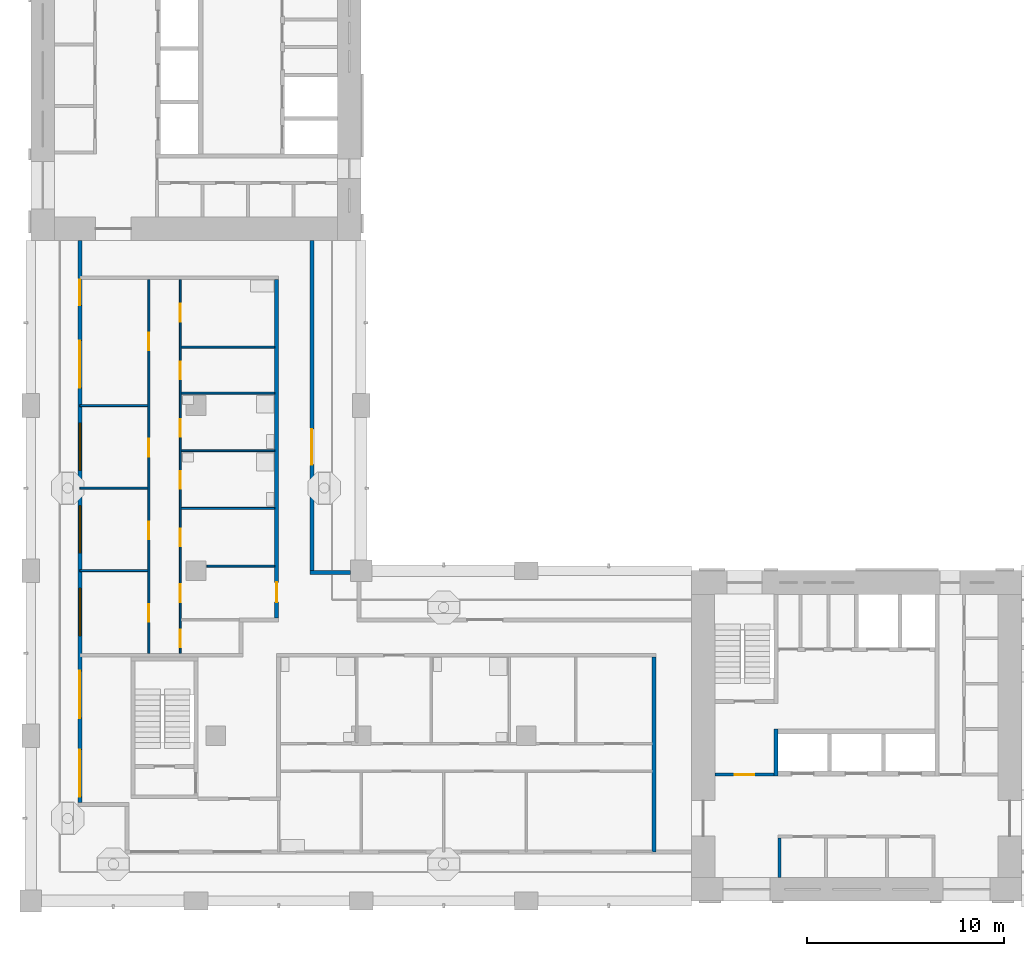
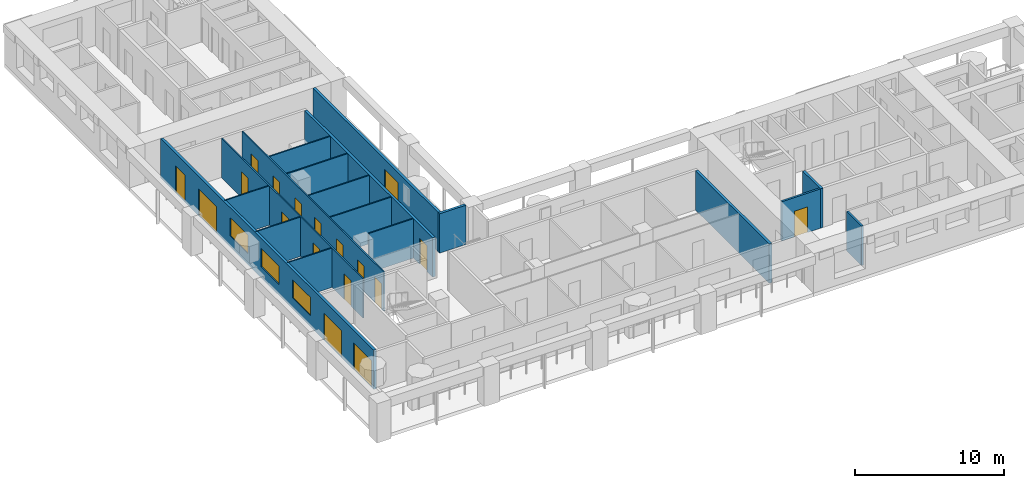
# One storey, part 3 of 13: 18 doors, 18 walls, 3 windows, 21 openings.
"""IFC4 building model written with IfcOpenShell, lengths in metres."""

from ifc_helpers import new_model, si_unit, direction, frame, frame_2d, origin, place, context, subcontext, project, spatial, rectangle, extrude, material, layer, layer_set, type_object, element, fill, save


model = new_model("IFC4")

# Units and contexts
model_context = context("Model", 3, precision=1e-05, world=origin(), true_north=direction((0.0, 1.0)))
body_context = subcontext(model_context, "Body", "Model", "MODEL_VIEW")
ifc_project = project(units=[si_unit("LENGTHUNIT", "METRE"), si_unit("AREAUNIT", "SQUARE_METRE"), si_unit("VOLUMEUNIT", "CUBIC_METRE"), si_unit("PLANEANGLEUNIT", "RADIAN"), si_unit("MASSUNIT", "GRAM", prefix="KILO")], contexts=[model_context])

# Site, building, storey
site_placement = place(None, origin())
site = spatial("IfcSite", under=ifc_project, at=site_placement, CompositionType="ELEMENT")
building_placement = place(site_placement, origin())
building = spatial("IfcBuilding", under=site, at=building_placement, Name="Vermilion Gate Residences", CompositionType="ELEMENT")
storey_placement = place(building_placement, frame((0.0, 0.0, 161.699951171875)))
storey = spatial("IfcBuildingStorey", under=building, at=storey_placement, Name="L41", CompositionType="ELEMENT", Elevation=161.699951171875)

# Wall
ifc_material_1 = material(Name="Masonry blockwork", Category="masonry")
ifc_layer_1 = layer(ifc_material_1, 0.14990234375)
ifc_layer_set_1 = layer_set([ifc_layer_1], Name="BLOCKWORK PARTITION 150 EI 120")
wall_type_1 = type_object("IfcWallType", Name="BLOCKWORK PARTITION 150 EI 120", PredefinedType="PARTITIONING", material=ifc_layer_set_1)
wall_1_placement = place(storey_placement, frame((46.47509765625, 9.60009765625, 0.0), z_axis=(0.0, 0.0, 1.0), x_axis=(0.0, 1.0, 0.0)))
element("IfcWall", 1, at=wall_1_placement, inside=storey, type_object=wall_type_1, Name="Core room partition A41-RW-W", PredefinedType="PARTITIONING", context=body_context, shape_type="SweptSolid", body=[
    extrude(rectangle(XDim=2.0, YDim=0.14990234375, at=frame_2d((1.0, 0.0))), origin(), (0.0, 0.0, 1.0), 3.219970703125),
])

# Wall, opening, door
wall_2_placement = place(storey_placement, frame((43.199951171875, 14.824951171875, 0.0), z_axis=(0.0, 0.0, 1.0), x_axis=(1.0, 0.0, 0.0)))
wall_2 = element("IfcWall", 2, at=wall_2_placement, inside=storey, type_object=wall_type_1, Name="Core room partition A41-VW-S", PredefinedType="PARTITIONING", context=body_context, shape_type="SweptSolid", body=[
    extrude(rectangle(XDim=3.0, YDim=0.14990234375, at=frame_2d((1.5, 0.0))), origin(), (0.0, 0.0, 1.0), 3.219970703125),
])
opening_1_placement = place(wall_2_placement, frame((1.0, 0.0, 0.0)))
opening_1 = element("IfcOpeningElement", 3, at=opening_1_placement, cuts=wall_2, Name="Opening DK41014", PredefinedType="OPENING", context=body_context, shape_type="SweptSolid", body=[
    extrude(rectangle(XDim=1.0, YDim=2.10009765625, at=frame_2d((0.5, 1.050048828125))), frame((0.0, 0.0849609375, 0.0), z_axis=(0.0, -1.0, 0.0), x_axis=(1.0, 0.0, 0.0)), (0.0, 0.0, 1.0), 0.169921875),
])
ifc_material_2 = material(Name="Steel", Category="steel")
door_type_1 = type_object("IfcDoorType", Name="FIRE DOOR FD60 1000 X 2100", OperationType="SINGLE_SWING_LEFT", PredefinedType="DOOR", material=ifc_material_2)
door_1_placement = place(opening_1_placement, frame((1.0, 0.0, 0.0), z_axis=(0.0, 0.0, 1.0), x_axis=(-1.0, 0.0, 0.0)))
door_1 = element("IfcDoor", 4, at=door_1_placement, inside=storey, type_object=door_type_1, Name="Stair vestibule door A41", OperationType="SINGLE_SWING_RIGHT", OverallHeight=2.10009765625, OverallWidth=1.0, PredefinedType="DOOR", context=body_context, shape_type="SweptSolid", body=[
    extrude(rectangle(XDim=1.0, YDim=2.10009765625, at=frame_2d((0.5, 1.050048828125))), frame((0.0, 0.02490234375, 0.0), z_axis=(0.0, -1.0, 0.0), x_axis=(1.0, 0.0, 0.0)), (0.0, 0.0, 1.0), 0.050048828125),
])
fill(opening_1, door_1)

# Wall, openings, doors, windows
ifc_material_3 = material(Name="Insulated steel stud wall with terracotta rainscreen", Category="masonry")
ifc_layer_2 = layer(ifc_material_3, 0.199951171875)
ifc_layer_set_2 = layer_set([ifc_layer_2], Name="EXTERNAL WALL 200 TERRACOTTA RAINSCREEN")
wall_type_2 = type_object("IfcWallType", Name="EXTERNAL WALL 200 TERRACOTTA RAINSCREEN", PredefinedType="SOLIDWALL", material=ifc_layer_set_2)
wall_3_placement = place(storey_placement, frame((10.89990234375, 42.0, 0.0), z_axis=(0.0, 0.0, 1.0), x_axis=(0.0, -1.0, 0.0)))
wall_3 = element("IfcWall", 5, at=wall_3_placement, inside=storey, type_object=wall_type_2, Name="External wall", PredefinedType="SOLIDWALL", context=body_context, shape_type="SweptSolid", body=[
    extrude(rectangle(XDim=28.60009765625, YDim=0.199951171875, at=frame_2d((14.300048828125, 0.0))), origin(), (0.0, 0.0, 1.0), 3.219970703125),
])
opening_2_placement = place(wall_3_placement, frame((25.89990234375, 0.0, 0.0)))
opening_2 = element("IfcOpeningElement", 6, at=opening_2_placement, cuts=wall_3, Name="Opening DE41001", PredefinedType="OPENING", context=body_context, shape_type="SweptSolid", body=[
    extrude(rectangle(XDim=2.39990234375, YDim=2.199951171875, at=frame_2d((1.199951171875, 1.10009765625))), frame((0.0, 0.10986328125, 0.0), z_axis=(0.0, -1.0, 0.0), x_axis=(1.0, 0.0, 0.0)), (0.0, 0.0, 1.0), 0.219970703125),
])
opening_3_placement = place(wall_3_placement, frame((21.89990234375, 0.0, 0.0)))
opening_3 = element("IfcOpeningElement", 7, at=opening_3_placement, cuts=wall_3, Name="Opening DE41002", PredefinedType="OPENING", context=body_context, shape_type="SweptSolid", body=[
    extrude(rectangle(XDim=2.39990234375, YDim=2.199951171875, at=frame_2d((1.199951171875, 1.10009765625))), frame((0.0, 0.10986328125, 0.0), z_axis=(0.0, -1.0, 0.0), x_axis=(1.0, 0.0, 0.0)), (0.0, 0.0, 1.0), 0.219970703125),
])
opening_4_placement = place(wall_3_placement, frame((17.699951171875, 0.0, 0.89990234375)))
opening_4 = element("IfcOpeningElement", 8, at=opening_4_placement, cuts=wall_3, Name="Opening WE41003", PredefinedType="OPENING", context=body_context, shape_type="SweptSolid", body=[
    extrude(rectangle(XDim=2.39990234375, YDim=1.5, at=frame_2d((1.199951171875, 0.75))), frame((0.0, 0.10986328125, 0.0), z_axis=(0.0, -1.0, 0.0), x_axis=(1.0, 0.0, 0.0)), (0.0, 0.0, 1.0), 0.219970703125),
])
opening_5_placement = place(wall_3_placement, frame((13.5, 0.0, 0.89990234375)))
opening_5 = element("IfcOpeningElement", 9, at=opening_5_placement, cuts=wall_3, Name="Opening WE41004", PredefinedType="OPENING", context=body_context, shape_type="SweptSolid", body=[
    extrude(rectangle(XDim=2.39990234375, YDim=1.5, at=frame_2d((1.199951171875, 0.75))), frame((0.0, 0.10986328125, 0.0), z_axis=(0.0, -1.0, 0.0), x_axis=(1.0, 0.0, 0.0)), (0.0, 0.0, 1.0), 0.219970703125),
])
opening_6_placement = place(wall_3_placement, frame((9.300048828125, 0.0, 0.89990234375)))
opening_6 = element("IfcOpeningElement", 10, at=opening_6_placement, cuts=wall_3, Name="Opening WE41005", PredefinedType="OPENING", context=body_context, shape_type="SweptSolid", body=[
    extrude(rectangle(XDim=2.39990234375, YDim=1.5, at=frame_2d((1.199951171875, 0.75))), frame((0.0, 0.10986328125, 0.0), z_axis=(0.0, -1.0, 0.0), x_axis=(1.0, 0.0, 0.0)), (0.0, 0.0, 1.0), 0.219970703125),
])
opening_7_placement = place(wall_3_placement, frame((5.10009765625, 0.0, 0.0)))
opening_7 = element("IfcOpeningElement", 11, at=opening_7_placement, cuts=wall_3, Name="Opening DE41006", PredefinedType="OPENING", context=body_context, shape_type="SweptSolid", body=[
    extrude(rectangle(XDim=2.39990234375, YDim=2.199951171875, at=frame_2d((1.199951171875, 1.10009765625))), frame((0.0, 0.10986328125, 0.0), z_axis=(0.0, -1.0, 0.0), x_axis=(1.0, 0.0, 0.0)), (0.0, 0.0, 1.0), 0.219970703125),
])
opening_8_placement = place(wall_3_placement, frame((2.0, 0.0, 0.0)))
opening_8 = element("IfcOpeningElement", 12, at=opening_8_placement, cuts=wall_3, Name="Opening DE41007", PredefinedType="OPENING", context=body_context, shape_type="SweptSolid", body=[
    extrude(rectangle(XDim=1.300048828125, YDim=2.199951171875, at=frame_2d((0.64990234375, 1.10009765625))), frame((0.0, 0.10986328125, 0.0), z_axis=(0.0, -1.0, 0.0), x_axis=(1.0, 0.0, 0.0)), (0.0, 0.0, 1.0), 0.219970703125),
])
ifc_material_4 = material(Name="Aluminium and clear glass", Category="aluminium")
door_type_2 = type_object("IfcDoorType", Name="SLIDING GLAZED DOOR 1300 X 2200", OperationType="DOUBLE_DOOR_SLIDING", PredefinedType="DOOR", material=ifc_material_4)
door_2_placement = place(opening_8_placement, origin())
door_2 = element("IfcDoor", 13, at=door_2_placement, inside=storey, type_object=door_type_2, Name="Loggia sliding door", OperationType="DOUBLE_DOOR_SLIDING", OverallHeight=2.199951171875, OverallWidth=1.300048828125, PredefinedType="DOOR", context=body_context, shape_type="SweptSolid", body=[
    extrude(rectangle(XDim=1.300048828125, YDim=2.199951171875, at=frame_2d((0.64990234375, 1.10009765625))), frame((0.0, 0.02490234375, 0.0), z_axis=(0.0, -1.0, 0.0), x_axis=(1.0, 0.0, 0.0)), (0.0, 0.0, 1.0), 0.050048828125),
])
fill(opening_8, door_2)
ifc_material_5 = material(Name="Aluminium and clear glass", Category="aluminium")
door_type_3 = type_object("IfcDoorType", Name="SLIDING GLAZED DOOR 2400 X 2200", OperationType="DOUBLE_DOOR_SLIDING", PredefinedType="DOOR", material=ifc_material_5)
door_3_placement = place(opening_2_placement, origin())
door_3 = element("IfcDoor", 14, at=door_3_placement, inside=storey, type_object=door_type_3, Name="Loggia sliding door", OperationType="DOUBLE_DOOR_SLIDING", OverallHeight=2.199951171875, OverallWidth=2.39990234375, PredefinedType="DOOR", context=body_context, shape_type="SweptSolid", body=[
    extrude(rectangle(XDim=2.39990234375, YDim=2.199951171875, at=frame_2d((1.199951171875, 1.10009765625))), frame((0.0, 0.02490234375, 0.0), z_axis=(0.0, -1.0, 0.0), x_axis=(1.0, 0.0, 0.0)), (0.0, 0.0, 1.0), 0.050048828125),
])
fill(opening_2, door_3)
door_4_placement = place(opening_3_placement, origin())
door_4 = element("IfcDoor", 15, at=door_4_placement, inside=storey, type_object=door_type_3, Name="Loggia sliding door", OperationType="DOUBLE_DOOR_SLIDING", OverallHeight=2.199951171875, OverallWidth=2.39990234375, PredefinedType="DOOR", context=body_context, shape_type="SweptSolid", body=[
    extrude(rectangle(XDim=2.39990234375, YDim=2.199951171875, at=frame_2d((1.199951171875, 1.10009765625))), frame((0.0, 0.02490234375, 0.0), z_axis=(0.0, -1.0, 0.0), x_axis=(1.0, 0.0, 0.0)), (0.0, 0.0, 1.0), 0.050048828125),
])
fill(opening_3, door_4)
door_5_placement = place(opening_7_placement, origin())
door_5 = element("IfcDoor", 16, at=door_5_placement, inside=storey, type_object=door_type_3, Name="Loggia sliding door", OperationType="DOUBLE_DOOR_SLIDING", OverallHeight=2.199951171875, OverallWidth=2.39990234375, PredefinedType="DOOR", context=body_context, shape_type="SweptSolid", body=[
    extrude(rectangle(XDim=2.39990234375, YDim=2.199951171875, at=frame_2d((1.199951171875, 1.10009765625))), frame((0.0, 0.02490234375, 0.0), z_axis=(0.0, -1.0, 0.0), x_axis=(1.0, 0.0, 0.0)), (0.0, 0.0, 1.0), 0.050048828125),
])
fill(opening_7, door_5)
ifc_material_6 = material(Name="Aluminium and clear glass", Category="aluminium")
window_type = type_object("IfcWindowType", Name="WINDOW 2400 X 1500", PartitioningType="SINGLE_PANEL", PredefinedType="WINDOW", material=ifc_material_6)
window_1_placement = place(opening_4_placement, origin())
window_1 = element("IfcWindow", 17, at=window_1_placement, inside=storey, type_object=window_type, Name="Window", OverallHeight=1.5, OverallWidth=2.39990234375, PartitioningType="SINGLE_PANEL", PredefinedType="WINDOW", context=body_context, shape_type="SweptSolid", body=[
    extrude(rectangle(XDim=2.39990234375, YDim=1.5, at=frame_2d((1.199951171875, 0.75))), frame((0.0, 0.030029296875, 0.0), z_axis=(0.0, -1.0, 0.0), x_axis=(1.0, 0.0, 0.0)), (0.0, 0.0, 1.0), 0.06005859375),
])
fill(opening_4, window_1)
window_2_placement = place(opening_5_placement, origin())
window_2 = element("IfcWindow", 18, at=window_2_placement, inside=storey, type_object=window_type, Name="Window", OverallHeight=1.5, OverallWidth=2.39990234375, PartitioningType="SINGLE_PANEL", PredefinedType="WINDOW", context=body_context, shape_type="SweptSolid", body=[
    extrude(rectangle(XDim=2.39990234375, YDim=1.5, at=frame_2d((1.199951171875, 0.75))), frame((0.0, 0.030029296875, 0.0), z_axis=(0.0, -1.0, 0.0), x_axis=(1.0, 0.0, 0.0)), (0.0, 0.0, 1.0), 0.06005859375),
])
fill(opening_5, window_2)
window_3_placement = place(opening_6_placement, origin())
window_3 = element("IfcWindow", 19, at=window_3_placement, inside=storey, type_object=window_type, Name="Window", OverallHeight=1.5, OverallWidth=2.39990234375, PartitioningType="SINGLE_PANEL", PredefinedType="WINDOW", context=body_context, shape_type="SweptSolid", body=[
    extrude(rectangle(XDim=2.39990234375, YDim=1.5, at=frame_2d((1.199951171875, 0.75))), frame((0.0, 0.030029296875, 0.0), z_axis=(0.0, -1.0, 0.0), x_axis=(1.0, 0.0, 0.0)), (0.0, 0.0, 1.0), 0.06005859375),
])
fill(opening_6, window_3)

# Wall
wall_4_placement = place(storey_placement, frame((24.64990234375, 25.10009765625, 0.0), z_axis=(0.0, 0.0, 1.0), x_axis=(-1.0, 0.0, 0.0)))
element("IfcWall", 20, at=wall_4_placement, inside=storey, type_object=wall_type_2, Name="External wall", PredefinedType="SOLIDWALL", context=body_context, shape_type="SweptSolid", body=[
    extrude(rectangle(XDim=2.0498046875, YDim=0.199951171875, at=frame_2d((1.02490234375, 0.0))), origin(), (0.0, 0.0, 1.0), 3.219970703125),
])

# Wall, opening, door
wall_5_placement = place(storey_placement, frame((22.699951171875, 25.199951171875, 0.0), z_axis=(0.0, 0.0, 1.0), x_axis=(0.0, 1.0, 0.0)))
wall_5 = element("IfcWall", 21, at=wall_5_placement, inside=storey, type_object=wall_type_2, Name="External wall", PredefinedType="SOLIDWALL", context=body_context, shape_type="SweptSolid", body=[
    extrude(rectangle(XDim=16.800048828125, YDim=0.199951171875, at=frame_2d((8.39990234375, 0.0))), origin(), (0.0, 0.0, 1.0), 3.219970703125),
])
opening_9_placement = place(wall_5_placement, frame((5.39990234375, 0.0, 0.0)))
opening_9 = element("IfcOpeningElement", 22, at=opening_9_placement, cuts=wall_5, Name="Opening DE41021", PredefinedType="OPENING", context=body_context, shape_type="SweptSolid", body=[
    extrude(rectangle(XDim=1.800048828125, YDim=2.39990234375, at=frame_2d((0.89990234375, 1.199951171875))), frame((0.0, 0.10986328125, 0.0), z_axis=(0.0, -1.0, 0.0), x_axis=(1.0, 0.0, 0.0)), (0.0, 0.0, 1.0), 0.219970703125),
])
ifc_material_7 = material(Name="Aluminium and clear glass", Category="aluminium")
door_type_4 = type_object("IfcDoorType", Name="GLAZED EXTERNAL DOOR 1800 X 2400", OperationType="DOUBLE_DOOR_SINGLE_SWING", PredefinedType="DOOR", material=ifc_material_7)
door_6_placement = place(opening_9_placement, frame((1.800048828125, 0.0, 0.0), z_axis=(0.0, 0.0, 1.0), x_axis=(-1.0, 0.0, 0.0)))
door_6 = element("IfcDoor", 23, at=door_6_placement, inside=storey, type_object=door_type_4, Name="Gallery door", OperationType="DOUBLE_DOOR_SINGLE_SWING", OverallHeight=2.39990234375, OverallWidth=1.800048828125, PredefinedType="DOOR", context=body_context, shape_type="SweptSolid", body=[
    extrude(rectangle(XDim=1.800048828125, YDim=2.39990234375, at=frame_2d((0.89990234375, 1.199951171875))), frame((0.0, 0.02490234375, 0.0), z_axis=(0.0, -1.0, 0.0), x_axis=(1.0, 0.0, 0.0)), (0.0, 0.0, 1.0), 0.050048828125),
])
fill(opening_9, door_6)

# Walls
ifc_material_8 = material(Name="Plasterboard on steel studs", Category="steel")
ifc_layer_3 = layer(ifc_material_8, 0.10009765625)
ifc_layer_set_3 = layer_set([ifc_layer_3], Name="PARTITION 100")
wall_type_3 = type_object("IfcWallType", Name="PARTITION 100", PredefinedType="PARTITIONING", material=ifc_layer_set_3)
wall_6_placement = place(storey_placement, frame((10.89990234375, 25.199951171875, 0.0), z_axis=(0.0, 0.0, 1.0), x_axis=(1.0, 0.0, 0.0)))
element("IfcWall", 24, at=wall_6_placement, inside=storey, type_object=wall_type_3, Name="Partition", PredefinedType="PARTITIONING", context=body_context, shape_type="SweptSolid", body=[
    extrude(rectangle(XDim=3.4501953125, YDim=0.10009765625, at=frame_2d((1.72509765625, 0.0))), origin(), (0.0, 0.0, 1.0), 3.219970703125),
])
wall_7_placement = place(storey_placement, frame((17.35009765625, 25.43310546875, 0.0), z_axis=(0.0, 0.0, 1.0), x_axis=(1.0, 0.0, 0.0)))
element("IfcWall", 25, at=wall_7_placement, inside=storey, type_object=wall_type_3, Name="Partition", PredefinedType="PARTITIONING", context=body_context, shape_type="SweptSolid", body=[
    extrude(rectangle(XDim=3.449951171875, YDim=0.10009765625, at=frame_2d((1.72509765625, 0.0))), origin(), (0.0, 0.0, 1.0), 3.219970703125),
])
wall_8_placement = place(storey_placement, frame((16.050048828125, 28.366943359375, 0.0), z_axis=(0.0, 0.0, 1.0), x_axis=(1.0, 0.0, 0.0)))
element("IfcWall", 26, at=wall_8_placement, inside=storey, type_object=wall_type_3, Name="Partition", PredefinedType="PARTITIONING", context=body_context, shape_type="SweptSolid", body=[
    extrude(rectangle(XDim=4.75, YDim=0.10009765625, at=frame_2d((2.375, 0.0))), origin(), (0.0, 0.0, 1.0), 3.219970703125),
])
wall_9_placement = place(storey_placement, frame((10.89990234375, 29.39990234375, 0.0), z_axis=(0.0, 0.0, 1.0), x_axis=(1.0, 0.0, 0.0)))
element("IfcWall", 27, at=wall_9_placement, inside=storey, type_object=wall_type_3, Name="Partition", PredefinedType="PARTITIONING", context=body_context, shape_type="SweptSolid", body=[
    extrude(rectangle(XDim=3.4501953125, YDim=0.10009765625, at=frame_2d((1.72509765625, 0.0))), origin(), (0.0, 0.0, 1.0), 3.219970703125),
])
wall_10_placement = place(storey_placement, frame((16.050048828125, 31.300048828125, 0.0), z_axis=(0.0, 0.0, 1.0), x_axis=(1.0, 0.0, 0.0)))
element("IfcWall", 28, at=wall_10_placement, inside=storey, type_object=wall_type_3, Name="Partition", PredefinedType="PARTITIONING", context=body_context, shape_type="SweptSolid", body=[
    extrude(rectangle(XDim=4.75, YDim=0.10009765625, at=frame_2d((2.375, 0.0))), origin(), (0.0, 0.0, 1.0), 3.219970703125),
])
wall_11_placement = place(storey_placement, frame((10.89990234375, 33.60009765625, 0.0), z_axis=(0.0, 0.0, 1.0), x_axis=(1.0, 0.0, 0.0)))
element("IfcWall", 29, at=wall_11_placement, inside=storey, type_object=wall_type_3, Name="Partition", PredefinedType="PARTITIONING", context=body_context, shape_type="SweptSolid", body=[
    extrude(rectangle(XDim=3.4501953125, YDim=0.10009765625, at=frame_2d((1.72509765625, 0.0))), origin(), (0.0, 0.0, 1.0), 3.219970703125),
])
for number, where, z_axis, x_axis, name in (
    (30, (16.050048828125, 34.23291015625, 0.0), (0.0, 0.0, 1.0), (1.0, 0.0, 0.0), "Partition"),
    (31, (16.050048828125, 36.56689453125, 0.0), (0.0, 0.0, 1.0), (1.0, 0.0, 0.0), "Partition"),
):
    element("IfcWall", number, at=place(storey_placement, frame(where, z_axis=z_axis, x_axis=x_axis)), inside=storey, type_object=wall_type_3, Name=name, PredefinedType="PARTITIONING", context=body_context, shape_type="SweptSolid", body=[
        extrude(rectangle(XDim=4.75, YDim=0.10009765625, at=frame_2d((2.375, 0.0))), origin(), (0.0, 0.0, 1.0), 3.219970703125),
    ])

# Wall, openings, doors
wall_12_placement = place(storey_placement, frame((14.39990234375, 21.0, 0.0), z_axis=(0.0, 0.0, 1.0), x_axis=(0.0, 1.0, 0.0)))
wall_12 = element("IfcWall", 32, at=wall_12_placement, inside=storey, type_object=wall_type_3, Name="Partition", PredefinedType="PARTITIONING", context=body_context, shape_type="SweptSolid", body=[
    extrude(rectangle(XDim=19.0, YDim=0.10009765625, at=frame_2d((9.5, 0.0))), origin(), (0.0, 0.0, 1.0), 3.219970703125),
])
opening_10_placement = place(wall_12_placement, frame((1.60009765625, 0.0, 0.0)))
opening_10 = element("IfcOpeningElement", 33, at=opening_10_placement, cuts=wall_12, Name="Opening DA40012", PredefinedType="OPENING", context=body_context, shape_type="SweptSolid", body=[
    extrude(rectangle(XDim=0.89990234375, YDim=2.10009765625, at=frame_2d((0.449951171875, 1.050048828125))), frame((0.0, 0.06005859375, 0.0), z_axis=(0.0, -1.0, 0.0), x_axis=(1.0, 0.0, 0.0)), (0.0, 0.0, 1.0), 0.1201171875),
])
opening_11_placement = place(wall_12_placement, frame((5.800048828125, 0.0, 0.0)))
opening_11 = element("IfcOpeningElement", 34, at=opening_11_placement, cuts=wall_12, Name="Opening DA40013", PredefinedType="OPENING", context=body_context, shape_type="SweptSolid", body=[
    extrude(rectangle(XDim=0.89990234375, YDim=2.10009765625, at=frame_2d((0.449951171875, 1.050048828125))), frame((0.0, 0.06005859375, 0.0), z_axis=(0.0, -1.0, 0.0), x_axis=(1.0, 0.0, 0.0)), (0.0, 0.0, 1.0), 0.1201171875),
])
opening_12_placement = place(wall_12_placement, frame((10.0, 0.0, 0.0)))
opening_12 = element("IfcOpeningElement", 35, at=opening_12_placement, cuts=wall_12, Name="Opening DA40014", PredefinedType="OPENING", context=body_context, shape_type="SweptSolid", body=[
    extrude(rectangle(XDim=0.89990234375, YDim=2.10009765625, at=frame_2d((0.449951171875, 1.050048828125))), frame((0.0, 0.06005859375, 0.0), z_axis=(0.0, -1.0, 0.0), x_axis=(1.0, 0.0, 0.0)), (0.0, 0.0, 1.0), 0.1201171875),
])
opening_13_placement = place(wall_12_placement, frame((15.39990234375, 0.0, 0.0)))
opening_13 = element("IfcOpeningElement", 36, at=opening_13_placement, cuts=wall_12, Name="Opening DA40015", PredefinedType="OPENING", context=body_context, shape_type="SweptSolid", body=[
    extrude(rectangle(XDim=0.89990234375, YDim=2.10009765625, at=frame_2d((0.449951171875, 1.050048828125))), frame((0.0, 0.06005859375, 0.0), z_axis=(0.0, -1.0, 0.0), x_axis=(1.0, 0.0, 0.0)), (0.0, 0.0, 1.0), 0.1201171875),
])
ifc_material_9 = material(Name="Timber", Category="wood")
door_type_5 = type_object("IfcDoorType", Name="INTERIOR DOOR 900 X 2100", OperationType="SINGLE_SWING_LEFT", PredefinedType="DOOR", material=ifc_material_9)
door_7_placement = place(opening_10_placement, origin())
door_7 = element("IfcDoor", 37, at=door_7_placement, inside=storey, type_object=door_type_5, Name="Interior door", OperationType="SINGLE_SWING_LEFT", OverallHeight=2.10009765625, OverallWidth=0.89990234375, PredefinedType="DOOR", context=body_context, shape_type="SweptSolid", body=[
    extrude(rectangle(XDim=0.89990234375, YDim=2.10009765625, at=frame_2d((0.449951171875, 1.050048828125))), frame((0.0, 0.02490234375, 0.0), z_axis=(0.0, -1.0, 0.0), x_axis=(1.0, 0.0, 0.0)), (0.0, 0.0, 1.0), 0.050048828125),
])
fill(opening_10, door_7)
door_8_placement = place(opening_11_placement, origin())
door_8 = element("IfcDoor", 38, at=door_8_placement, inside=storey, type_object=door_type_5, Name="Interior door", OperationType="SINGLE_SWING_LEFT", OverallHeight=2.10009765625, OverallWidth=0.89990234375, PredefinedType="DOOR", context=body_context, shape_type="SweptSolid", body=[
    extrude(rectangle(XDim=0.89990234375, YDim=2.10009765625, at=frame_2d((0.449951171875, 1.050048828125))), frame((0.0, 0.02490234375, 0.0), z_axis=(0.0, -1.0, 0.0), x_axis=(1.0, 0.0, 0.0)), (0.0, 0.0, 1.0), 0.050048828125),
])
fill(opening_11, door_8)
door_9_placement = place(opening_12_placement, origin())
door_9 = element("IfcDoor", 39, at=door_9_placement, inside=storey, type_object=door_type_5, Name="Interior door", OperationType="SINGLE_SWING_LEFT", OverallHeight=2.10009765625, OverallWidth=0.89990234375, PredefinedType="DOOR", context=body_context, shape_type="SweptSolid", body=[
    extrude(rectangle(XDim=0.89990234375, YDim=2.10009765625, at=frame_2d((0.449951171875, 1.050048828125))), frame((0.0, 0.02490234375, 0.0), z_axis=(0.0, -1.0, 0.0), x_axis=(1.0, 0.0, 0.0)), (0.0, 0.0, 1.0), 0.050048828125),
])
fill(opening_12, door_9)
door_10_placement = place(opening_13_placement, origin())
door_10 = element("IfcDoor", 40, at=door_10_placement, inside=storey, type_object=door_type_5, Name="Interior door", OperationType="SINGLE_SWING_RIGHT", OverallHeight=2.10009765625, OverallWidth=0.89990234375, PredefinedType="DOOR", context=body_context, shape_type="SweptSolid", body=[
    extrude(rectangle(XDim=0.89990234375, YDim=2.10009765625, at=frame_2d((0.449951171875, 1.050048828125))), frame((0.0, 0.02490234375, 0.0), z_axis=(0.0, -1.0, 0.0), x_axis=(1.0, 0.0, 0.0)), (0.0, 0.0, 1.0), 0.050048828125),
])
fill(opening_13, door_10)

wall_13_placement = place(storey_placement, frame((16.0, 21.0, 0.0), z_axis=(0.0, 0.0, 1.0), x_axis=(0.0, 1.0, 0.0)))
wall_13 = element("IfcWall", 41, at=wall_13_placement, inside=storey, type_object=wall_type_3, Name="Partition", PredefinedType="PARTITIONING", context=body_context, shape_type="SweptSolid", body=[
    extrude(rectangle(XDim=19.0, YDim=0.10009765625, at=frame_2d((9.5, 0.0))), origin(), (0.0, 0.0, 1.0), 3.219970703125),
])
opening_14_placement = place(wall_13_placement, frame((2.60009765625, 0.0, 0.0)))
opening_14 = element("IfcOpeningElement", 42, at=opening_14_placement, cuts=wall_13, Name="Opening DA40016", PredefinedType="OPENING", context=body_context, shape_type="SweptSolid", body=[
    extrude(rectangle(XDim=0.89990234375, YDim=2.10009765625, at=frame_2d((0.449951171875, 1.050048828125))), frame((0.0, 0.06005859375, 0.0), z_axis=(0.0, -1.0, 0.0), x_axis=(1.0, 0.0, 0.0)), (0.0, 0.0, 1.0), 0.1201171875),
])
opening_15_placement = place(wall_13_placement, frame((0.300048828125, 0.0, 0.0)))
opening_15 = element("IfcOpeningElement", 43, at=opening_15_placement, cuts=wall_13, Name="Opening DA40017", PredefinedType="OPENING", context=body_context, shape_type="SweptSolid", body=[
    extrude(rectangle(XDim=0.89990234375, YDim=2.10009765625, at=frame_2d((0.449951171875, 1.050048828125))), frame((0.0, 0.06005859375, 0.0), z_axis=(0.0, -1.0, 0.0), x_axis=(1.0, 0.0, 0.0)), (0.0, 0.0, 1.0), 0.1201171875),
])
opening_16_placement = place(wall_13_placement, frame((5.43310546875, 0.0, 0.0)))
opening_16 = element("IfcOpeningElement", 44, at=opening_16_placement, cuts=wall_13, Name="Opening DA40018", PredefinedType="OPENING", context=body_context, shape_type="SweptSolid", body=[
    extrude(rectangle(XDim=0.89990234375, YDim=2.10009765625, at=frame_2d((0.449951171875, 1.050048828125))), frame((0.0, 0.06005859375, 0.0), z_axis=(0.0, -1.0, 0.0), x_axis=(1.0, 0.0, 0.0)), (0.0, 0.0, 1.0), 0.1201171875),
])
opening_17_placement = place(wall_13_placement, frame((8.366943359375, 0.0, 0.0)))
opening_17 = element("IfcOpeningElement", 45, at=opening_17_placement, cuts=wall_13, Name="Opening DA40019", PredefinedType="OPENING", context=body_context, shape_type="SweptSolid", body=[
    extrude(rectangle(XDim=0.89990234375, YDim=2.10009765625, at=frame_2d((0.449951171875, 1.050048828125))), frame((0.0, 0.06005859375, 0.0), z_axis=(0.0, -1.0, 0.0), x_axis=(1.0, 0.0, 0.0)), (0.0, 0.0, 1.0), 0.1201171875),
])
opening_18_placement = place(wall_13_placement, frame((11.0, 0.0, 0.0)))
opening_18 = element("IfcOpeningElement", 46, at=opening_18_placement, cuts=wall_13, Name="Opening DA40020", PredefinedType="OPENING", context=body_context, shape_type="SweptSolid", body=[
    extrude(rectangle(XDim=0.89990234375, YDim=2.10009765625, at=frame_2d((0.449951171875, 1.050048828125))), frame((0.0, 0.06005859375, 0.0), z_axis=(0.0, -1.0, 0.0), x_axis=(1.0, 0.0, 0.0)), (0.0, 0.0, 1.0), 0.1201171875),
])
opening_19_placement = place(wall_13_placement, frame((13.93310546875, 0.0, 0.0)))
opening_19 = element("IfcOpeningElement", 47, at=opening_19_placement, cuts=wall_13, Name="Opening DA40021", PredefinedType="OPENING", context=body_context, shape_type="SweptSolid", body=[
    extrude(rectangle(XDim=0.89990234375, YDim=2.10009765625, at=frame_2d((0.449951171875, 1.050048828125))), frame((0.0, 0.06005859375, 0.0), z_axis=(0.0, -1.0, 0.0), x_axis=(1.0, 0.0, 0.0)), (0.0, 0.0, 1.0), 0.1201171875),
])
opening_20_placement = place(wall_13_placement, frame((16.866943359375, 0.0, 0.0)))
opening_20 = element("IfcOpeningElement", 48, at=opening_20_placement, cuts=wall_13, Name="Opening DA40022", PredefinedType="OPENING", context=body_context, shape_type="SweptSolid", body=[
    extrude(rectangle(XDim=0.89990234375, YDim=2.10009765625, at=frame_2d((0.449951171875, 1.050048828125))), frame((0.0, 0.06005859375, 0.0), z_axis=(0.0, -1.0, 0.0), x_axis=(1.0, 0.0, 0.0)), (0.0, 0.0, 1.0), 0.1201171875),
])
door_11_placement = place(opening_14_placement, frame((0.89990234375, 0.0, 0.0), z_axis=(0.0, 0.0, 1.0), x_axis=(-1.0, 0.0, 0.0)))
door_11 = element("IfcDoor", 49, at=door_11_placement, inside=storey, type_object=door_type_5, Name="Interior door", OperationType="SINGLE_SWING_RIGHT", OverallHeight=2.10009765625, OverallWidth=0.89990234375, PredefinedType="DOOR", context=body_context, shape_type="SweptSolid", body=[
    extrude(rectangle(XDim=0.89990234375, YDim=2.10009765625, at=frame_2d((0.449951171875, 1.050048828125))), frame((0.0, 0.02490234375, 0.0), z_axis=(0.0, -1.0, 0.0), x_axis=(1.0, 0.0, 0.0)), (0.0, 0.0, 1.0), 0.050048828125),
])
fill(opening_14, door_11)
door_12_placement = place(opening_15_placement, frame((0.89990234375, 0.0, 0.0), z_axis=(0.0, 0.0, 1.0), x_axis=(-1.0, 0.0, 0.0)))
door_12 = element("IfcDoor", 50, at=door_12_placement, inside=storey, type_object=door_type_5, Name="Interior door", OperationType="SINGLE_SWING_RIGHT", OverallHeight=2.10009765625, OverallWidth=0.89990234375, PredefinedType="DOOR", context=body_context, shape_type="SweptSolid", body=[
    extrude(rectangle(XDim=0.89990234375, YDim=2.10009765625, at=frame_2d((0.449951171875, 1.050048828125))), frame((0.0, 0.02490234375, 0.0), z_axis=(0.0, -1.0, 0.0), x_axis=(1.0, 0.0, 0.0)), (0.0, 0.0, 1.0), 0.050048828125),
])
fill(opening_15, door_12)
door_13_placement = place(opening_16_placement, frame((0.89990234375, 0.0, 0.0), z_axis=(0.0, 0.0, 1.0), x_axis=(-1.0, 0.0, 0.0)))
door_13 = element("IfcDoor", 51, at=door_13_placement, inside=storey, type_object=door_type_5, Name="Interior door", OperationType="SINGLE_SWING_LEFT", OverallHeight=2.10009765625, OverallWidth=0.89990234375, PredefinedType="DOOR", context=body_context, shape_type="SweptSolid", body=[
    extrude(rectangle(XDim=0.89990234375, YDim=2.10009765625, at=frame_2d((0.449951171875, 1.050048828125))), frame((0.0, 0.02490234375, 0.0), z_axis=(0.0, -1.0, 0.0), x_axis=(1.0, 0.0, 0.0)), (0.0, 0.0, 1.0), 0.050048828125),
])
fill(opening_16, door_13)
door_14_placement = place(opening_17_placement, frame((0.89990234375, 0.0, 0.0), z_axis=(0.0, 0.0, 1.0), x_axis=(-1.0, 0.0, 0.0)))
door_14 = element("IfcDoor", 52, at=door_14_placement, inside=storey, type_object=door_type_5, Name="Interior door", OperationType="SINGLE_SWING_LEFT", OverallHeight=2.10009765625, OverallWidth=0.89990234375, PredefinedType="DOOR", context=body_context, shape_type="SweptSolid", body=[
    extrude(rectangle(XDim=0.89990234375, YDim=2.10009765625, at=frame_2d((0.449951171875, 1.050048828125))), frame((0.0, 0.02490234375, 0.0), z_axis=(0.0, -1.0, 0.0), x_axis=(1.0, 0.0, 0.0)), (0.0, 0.0, 1.0), 0.050048828125),
])
fill(opening_17, door_14)
door_15_placement = place(opening_18_placement, frame((0.89990234375, 0.0, 0.0), z_axis=(0.0, 0.0, 1.0), x_axis=(-1.0, 0.0, 0.0)))
door_15 = element("IfcDoor", 53, at=door_15_placement, inside=storey, type_object=door_type_5, Name="Interior door", OperationType="SINGLE_SWING_RIGHT", OverallHeight=2.10009765625, OverallWidth=0.89990234375, PredefinedType="DOOR", context=body_context, shape_type="SweptSolid", body=[
    extrude(rectangle(XDim=0.89990234375, YDim=2.10009765625, at=frame_2d((0.449951171875, 1.050048828125))), frame((0.0, 0.02490234375, 0.0), z_axis=(0.0, -1.0, 0.0), x_axis=(1.0, 0.0, 0.0)), (0.0, 0.0, 1.0), 0.050048828125),
])
fill(opening_18, door_15)
door_16_placement = place(opening_19_placement, frame((0.89990234375, 0.0, 0.0), z_axis=(0.0, 0.0, 1.0), x_axis=(-1.0, 0.0, 0.0)))
door_16 = element("IfcDoor", 54, at=door_16_placement, inside=storey, type_object=door_type_5, Name="Interior door", OperationType="SINGLE_SWING_RIGHT", OverallHeight=2.10009765625, OverallWidth=0.89990234375, PredefinedType="DOOR", context=body_context, shape_type="SweptSolid", body=[
    extrude(rectangle(XDim=0.89990234375, YDim=2.10009765625, at=frame_2d((0.449951171875, 1.050048828125))), frame((0.0, 0.02490234375, 0.0), z_axis=(0.0, -1.0, 0.0), x_axis=(1.0, 0.0, 0.0)), (0.0, 0.0, 1.0), 0.050048828125),
])
fill(opening_19, door_16)
door_17_placement = place(opening_20_placement, frame((0.89990234375, 0.0, 0.0), z_axis=(0.0, 0.0, 1.0), x_axis=(-1.0, 0.0, 0.0)))
door_17 = element("IfcDoor", 55, at=door_17_placement, inside=storey, type_object=door_type_5, Name="Interior door", OperationType="SINGLE_SWING_LEFT", OverallHeight=2.10009765625, OverallWidth=0.89990234375, PredefinedType="DOOR", context=body_context, shape_type="SweptSolid", body=[
    extrude(rectangle(XDim=0.89990234375, YDim=2.10009765625, at=frame_2d((0.449951171875, 1.050048828125))), frame((0.0, 0.02490234375, 0.0), z_axis=(0.0, -1.0, 0.0), x_axis=(1.0, 0.0, 0.0)), (0.0, 0.0, 1.0), 0.050048828125),
])
fill(opening_20, door_17)

# Wall, opening, door
ifc_material_10 = material(Name="Fire-rated plasterboard on steel studs", Category="steel")
ifc_layer_4 = layer(ifc_material_10, 0.199951171875)
ifc_layer_set_4 = layer_set([ifc_layer_4], Name="PARTY WALL 200 EI 120")
wall_type_4 = type_object("IfcWallType", Name="PARTY WALL 200 EI 120", PredefinedType="PARTITIONING", material=ifc_layer_set_4)
wall_14_placement = place(storey_placement, frame((20.89990234375, 22.800048828125, 0.0), z_axis=(0.0, 0.0, 1.0), x_axis=(0.0, 1.0, 0.0)))
wall_14 = element("IfcWall", 56, at=wall_14_placement, inside=storey, type_object=wall_type_4, Name="Party and corridor wall", PredefinedType="PARTITIONING", context=body_context, shape_type="SweptSolid", body=[
    extrude(rectangle(XDim=17.199951171875, YDim=0.199951171875, at=frame_2d((8.60009765625, 0.0))), origin(), (0.0, 0.0, 1.0), 3.219970703125),
])
opening_21_placement = place(wall_14_placement, frame((0.800048828125, 0.0, 0.0)))
opening_21 = element("IfcOpeningElement", 57, at=opening_21_placement, cuts=wall_14, Name="Opening DA40023", PredefinedType="OPENING", context=body_context, shape_type="SweptSolid", body=[
    extrude(rectangle(XDim=1.0, YDim=2.10009765625, at=frame_2d((0.5, 1.050048828125))), frame((0.0, 0.10986328125, 0.0), z_axis=(0.0, -1.0, 0.0), x_axis=(1.0, 0.0, 0.0)), (0.0, 0.0, 1.0), 0.219970703125),
])
ifc_material_11 = material(Name="Steel", Category="steel")
door_type_6 = type_object("IfcDoorType", Name="ENTRANCE DOOR 1000 X 2100 FD30", OperationType="SINGLE_SWING_LEFT", PredefinedType="DOOR", material=ifc_material_11)
door_18_placement = place(opening_21_placement, origin())
door_18 = element("IfcDoor", 58, at=door_18_placement, inside=storey, type_object=door_type_6, Name="Entrance door", OperationType="SINGLE_SWING_RIGHT", OverallHeight=2.10009765625, OverallWidth=1.0, PredefinedType="DOOR", context=body_context, shape_type="SweptSolid", body=[
    extrude(rectangle(XDim=1.0, YDim=2.10009765625, at=frame_2d((0.5, 1.050048828125))), frame((0.0, 0.02490234375, 0.0), z_axis=(0.0, -1.0, 0.0), x_axis=(1.0, 0.0, 0.0)), (0.0, 0.0, 1.0), 0.050048828125),
])
fill(opening_21, door_18)

# Walls
wall_15_placement = place(storey_placement, frame((40.10009765625, 10.89990234375, 0.0), z_axis=(0.0, 0.0, 1.0), x_axis=(0.0, 1.0, 0.0)))
element("IfcWall", 59, at=wall_15_placement, inside=storey, type_object=wall_type_4, Name="Party and corridor wall", PredefinedType="PARTITIONING", context=body_context, shape_type="SweptSolid", body=[
    extrude(rectangle(XDim=9.900146484375, YDim=0.199951171875, at=frame_2d((4.9501953125, 0.0))), origin(), (0.0, 0.0, 1.0), 3.219970703125),
])
ifc_material_12 = material(Name="Concrete C60", Category="concrete")
ifc_layer_5 = layer(ifc_material_12, 0.199951171875)
ifc_layer_set_5 = layer_set([ifc_layer_5], Name="RC CORE INTERNAL WALL 200 C60")
wall_type_5 = type_object("IfcWallType", Name="RC CORE INTERNAL WALL 200 C60", PredefinedType="SHEAR", material=ifc_layer_set_5)
wall_16_placement = place(storey_placement, frame((46.300048828125, 14.75, 0.0), z_axis=(0.0, 0.0, 1.0), x_axis=(0.0, 1.0, 0.0)))
element("IfcWall", 60, at=wall_16_placement, inside=storey, type_object=wall_type_5, Name="Core internal wall A41-WDIV1", PredefinedType="SHEAR", context=body_context, shape_type="SweptSolid", body=[
    extrude(rectangle(XDim=2.39990234375, YDim=0.199951171875, at=frame_2d((1.199951171875, 0.0))), origin(), (0.0, 0.0, 1.0), 3.219970703125),
])

save(model, "model.ifc")
